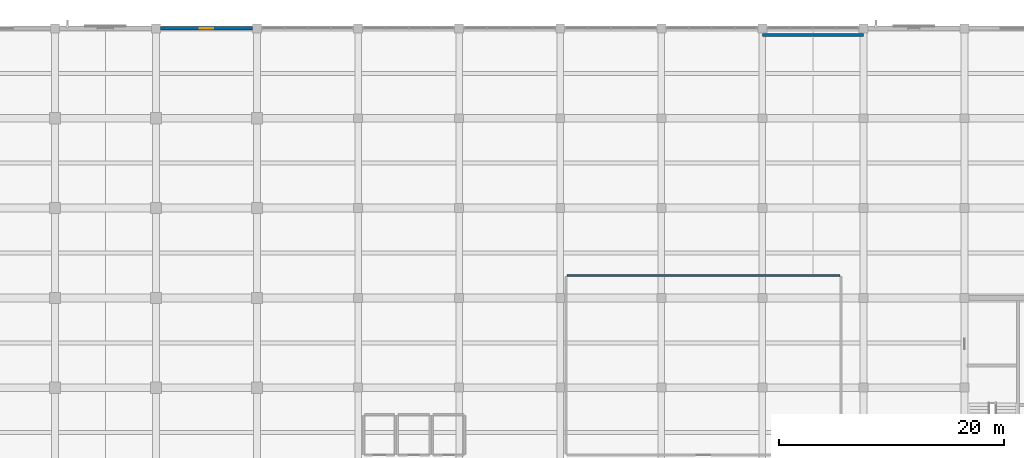
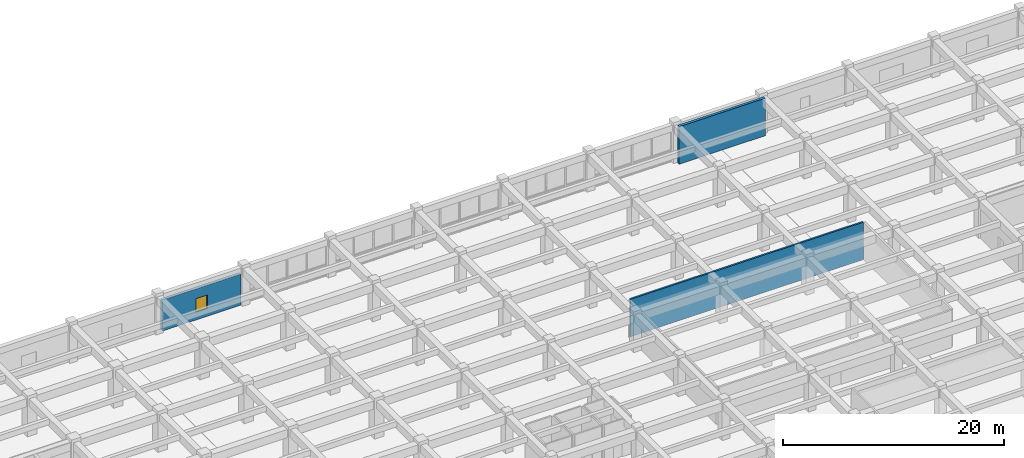
# One storey, part 32 of 50: 3 walls, 1 window, 1 opening.
"""IFC4 building model written with IfcOpenShell, lengths in metres."""

from ifc_helpers import new_model, si_unit, direction, frame, frame_2d, origin, place, context, subcontext, project, spatial, rectangle, extrude, material, layer, layer_set, type_object, element, fill, save


model = new_model("IFC4")

# Units and contexts
model_context = context("Model", 3, precision=1e-05, world=origin(), true_north=direction((0.0, 1.0)))
body_context = subcontext(model_context, "Body", "Model", "MODEL_VIEW")
ifc_project = project(units=[si_unit("LENGTHUNIT", "METRE"), si_unit("AREAUNIT", "SQUARE_METRE"), si_unit("VOLUMEUNIT", "CUBIC_METRE"), si_unit("PLANEANGLEUNIT", "RADIAN"), si_unit("MASSUNIT", "GRAM", prefix="KILO")], contexts=[model_context])

# Site, building, storey
site_placement = place(None, origin())
site = spatial("IfcSite", under=ifc_project, at=site_placement, CompositionType="ELEMENT")
building_placement = place(site_placement, origin())
building = spatial("IfcBuilding", under=site, at=building_placement, Name="Zaverband Oceanarium and Marine Research Institute", CompositionType="ELEMENT")
storey_placement = place(building_placement, frame((0.0, 0.0, 9.0)))
storey = spatial("IfcBuildingStorey", under=building, at=storey_placement, Name="L02", CompositionType="ELEMENT", Elevation=9.0)

# Wall, opening, window
ifc_material_1 = material(Name="Concrete C40/50 precast", Category="concrete")
ifc_layer_1 = layer(ifc_material_1, 0.31005859375, Name="Concrete C40/50 precast")
ifc_layer_set_1 = layer_set([ifc_layer_1], Name="Concrete C40/50 precast")
wall_type_1 = type_object("IfcWallType", Name="EW-310", PredefinedType="STANDARD", material=ifc_layer_set_1)
wall_1_placement = place(storey_placement, frame((63.405029296875, 120.0, 0.0), z_axis=(0.0, 0.0, 1.0), x_axis=(1.0, 0.0, 0.0)))
wall_1 = element("IfcWall", 1, at=wall_1_placement, inside=storey, type_object=wall_type_1, Name="Exterior infill wall EW-310", PredefinedType="STANDARD", context=body_context, shape_type="SweptSolid", body=[
    extrude(rectangle(XDim=8.18994140625, YDim=0.31005859375, at=frame_2d((4.094970703125, 0.0))), origin(), (0.0, 0.0, 1.0), 3.419921875),
])
opening_placement = place(wall_1_placement, frame((3.4951171875, 0.0, 0.85009765625)))
opening = element("IfcOpeningElement", 2, at=opening_placement, cuts=wall_1, Name="Opening WN-1200x1500", PredefinedType="OPENING", context=body_context, shape_type="SweptSolid", body=[
    extrude(rectangle(XDim=1.199951171875, YDim=1.5, at=frame_2d((0.60009765625, 0.75))), frame((0.0, 0.1669921875, 0.0), z_axis=(0.0, -1.0, 0.0), x_axis=(1.0, 0.0, 0.0)), (0.0, 0.0, 1.0), 0.333984375),
])
ifc_material_2 = material(Name="Thermally broken anodized aluminium and solar-control glass", Category="aluminium")
window_type = type_object("IfcWindowType", Name="WN-1200x1500", PartitioningType="SINGLE_PANEL", PredefinedType="WINDOW", material=ifc_material_2)
window_placement = place(opening_placement, origin())
window = element("IfcWindow", 3, at=window_placement, inside=storey, type_object=window_type, Name="Fixed / casement exterior window WN-1200x1500", OverallHeight=1.5, OverallWidth=1.199951171875, PartitioningType="SINGLE_PANEL", PredefinedType="WINDOW", context=body_context, shape_type="SweptSolid", body=[
    extrude(rectangle(XDim=1.199951171875, YDim=1.5, at=frame_2d((0.60009765625, 0.75))), frame((0.0, 0.030029296875, 0.0), z_axis=(0.0, -1.0, 0.0), x_axis=(1.0, 0.0, 0.0)), (0.0, 0.0, 1.0), 0.06005859375),
])
fill(opening, window)

# Walls
ifc_material_3 = material(Name="Moisture-resistant laboratory blockwork", Category="masonry")
ifc_layer_2 = layer(ifc_material_3, 0.179931640625, Name="Moisture-resistant laboratory blockwork")
ifc_layer_set_2 = layer_set([ifc_layer_2], Name="Moisture-resistant laboratory blockwork")
wall_type_2 = type_object("IfcWallType", Name="PT-180-LB", PredefinedType="PARTITIONING", material=ifc_layer_set_2)
wall_2_placement = place(storey_placement, frame((99.590087890625, 98.0, 0.0), z_axis=(0.0, 0.0, 1.0), x_axis=(1.0, 0.0, 0.0)))
element("IfcWall", 4, at=wall_2_placement, inside=storey, type_object=wall_type_2, Name="Internal partition PT-180-LB", PredefinedType="PARTITIONING", context=body_context, shape_type="SweptSolid", body=[
    extrude(rectangle(XDim=24.31982421875, YDim=0.179931640625, at=frame_2d((12.159912109375, 0.0))), origin(), (0.0, 0.0, 1.0), 4.139892578125),
])
ifc_material_4 = material(Name="Concrete C40/50", Category="concrete")
ifc_layer_3 = layer(ifc_material_4, 0.280029296875, Name="Concrete C40/50")
ifc_layer_set_3 = layer_set([ifc_layer_3], Name="Concrete C40/50")
wall_type_3 = type_object("IfcWallType", Name="SCW-03", PredefinedType="SOLIDWALL", material=ifc_layer_set_3)
wall_3_placement = place(storey_placement, frame((117.0, 119.39990234375, 0.0), z_axis=(0.0, 0.0, 1.0), x_axis=(1.0, 0.0, 0.0)))
element("IfcWall", 5, at=wall_3_placement, inside=storey, type_object=wall_type_3, Name="Structural concrete wall SCW-03", PredefinedType="SOLIDWALL", context=body_context, shape_type="SweptSolid", body=[
    extrude(rectangle(XDim=9.0, YDim=0.280029296875, at=frame_2d((4.5, 0.0))), origin(), (0.0, 0.0, 1.0), 4.139892578125),
])

save(model, "model.ifc")
